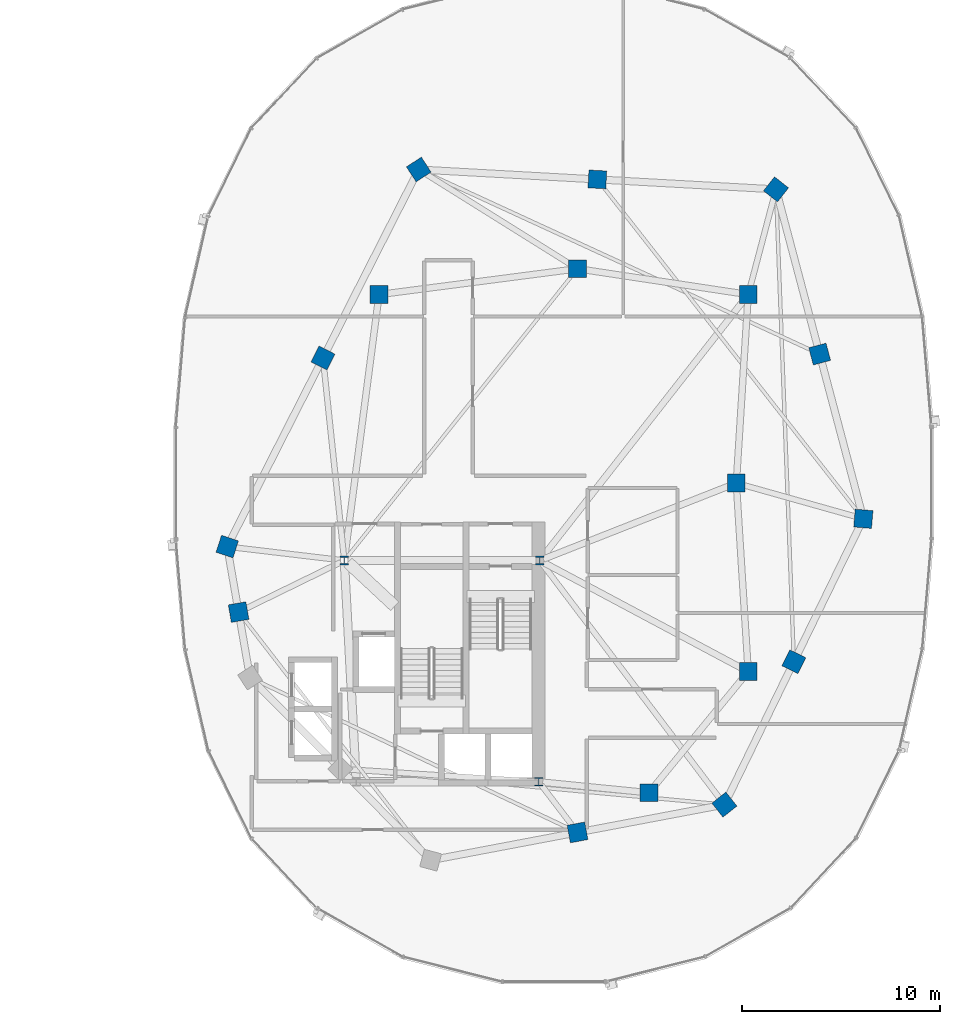
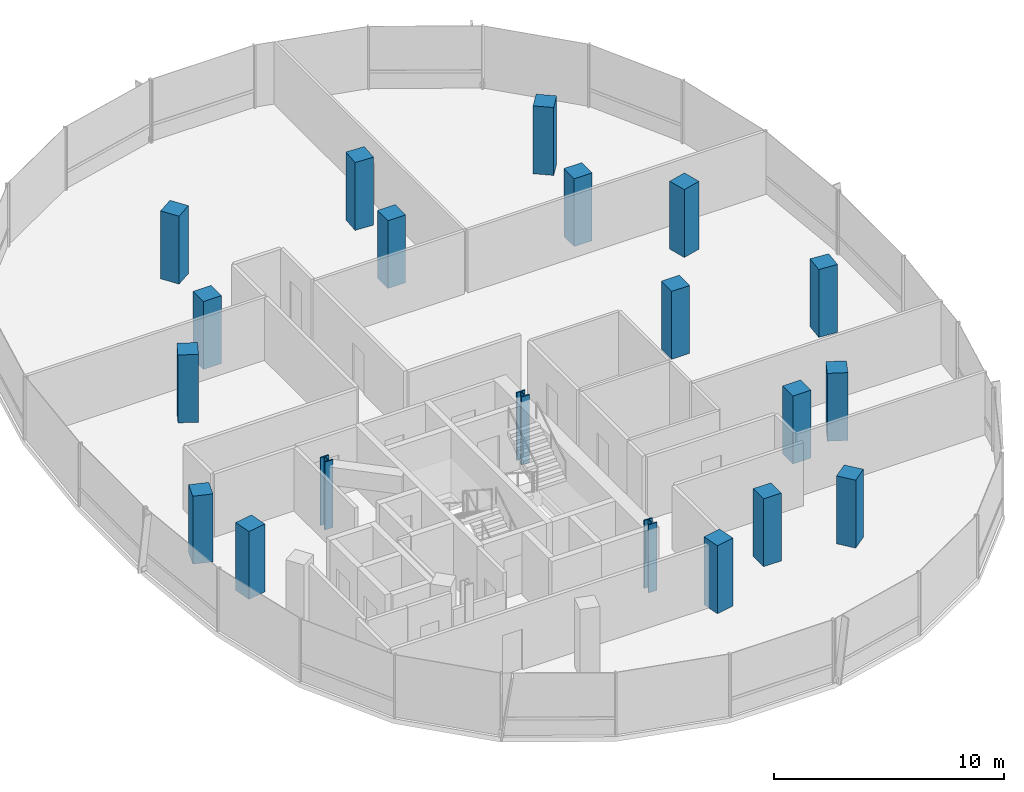
# One storey, part 2 of 25: 20 columns.
"""IFC4 building model written with IfcOpenShell, lengths in metres."""

from ifc_helpers import new_model, si_unit, direction, frame, origin, origin_2d, place, context, subcontext, project, spatial, rectangle, i_section, extrude, material, material_profile, profile_set, type_object, element, save


model = new_model("IFC4")

# Units and contexts
model_context = context("Model", 3, precision=1e-05, world=origin(), true_north=direction((0.0, 1.0)))
body_context = subcontext(model_context, "Body", "Model", "MODEL_VIEW")
ifc_project = project(units=[si_unit("LENGTHUNIT", "METRE"), si_unit("AREAUNIT", "SQUARE_METRE"), si_unit("VOLUMEUNIT", "CUBIC_METRE"), si_unit("PLANEANGLEUNIT", "RADIAN"), si_unit("MASSUNIT", "GRAM", prefix="KILO"), si_unit("THERMODYNAMICTEMPERATUREUNIT", "KELVIN"), si_unit("POWERUNIT", "WATT")], contexts=[model_context])

# Site, building, storey
site_placement = place(None, origin())
site = spatial("IfcSite", under=ifc_project, at=site_placement, CompositionType="ELEMENT")
building_placement = place(site_placement, origin())
building = spatial("IfcBuilding", under=site, at=building_placement, Name="Cundina Bronze Exchange", CompositionType="ELEMENT")
storey_placement = place(building_placement, frame((0.0, 0.0, 206.199951171875)))
storey = spatial("IfcBuildingStorey", under=building, at=storey_placement, Name="L54", CompositionType="ELEMENT", Elevation=206.199951171875)

# Columns
ifc_material_1 = material(Name="Steel ASTM A992 Grade 50", Category="steel")
ifc_material_profile_1 = material_profile(ifc_material_1, i_section(OverallWidth=0.416015625, OverallDepth=0.446044921875, WebThickness=0.0390625, FlangeThickness=0.062744140625, FilletRadius=0.01806640625, at=origin_2d()), Name="W14X342", Category="steel")
ifc_profile_set_1 = profile_set([ifc_material_profile_1], Name="Steel ASTM A992 Grade 50")
column_type_1 = type_object("IfcColumnType", Name="COL-STL-W14B", PredefinedType="COLUMN", material=ifc_profile_set_1)
for number, where, z_axis, x_axis, name in (
    (1, (31.300048828125, -3.89990234375, 0.0), (0.0, 0.0, 1.0), (1.0, 0.0, 0.0), "L54 Core Anchor Column E1"),
    (2, (21.449951171875, -3.89990234375, 0.0), (0.0, 0.0, 1.0), (1.0, 0.0, 0.0), "L54 Core Anchor Column E2"),
    (3, (31.25, -15.050048828125, 0.0), (0.0, 0.0, 1.0), (1.0, 0.0, 0.0), "L54 Core Anchor Column E4"),
):
    element("IfcColumn", number, at=place(storey_placement, frame(where, z_axis=z_axis, x_axis=x_axis)), inside=storey, type_object=column_type_1, Name=name, PredefinedType="COLUMN", context=body_context, shape_type="SweptSolid", body=[
        extrude(i_section(OverallWidth=0.416015625, OverallDepth=0.446044921875, WebThickness=0.0390625, FlangeThickness=0.062744140625, FilletRadius=0.01806640625, at=origin_2d()), origin(), (0.0, 0.0, 1.0), 3.60009765625),
    ])
ifc_material_2 = material(Name="Concrete C50/60", Category="concrete")
ifc_material_profile_2 = material_profile(ifc_material_2, rectangle(XDim=0.89990234375, YDim=0.89990234375, at=origin_2d()), Name="RC900X900", Category="concrete")
ifc_profile_set_2 = profile_set([ifc_material_profile_2], Name="Concrete C50/60")
column_type_2 = type_object("IfcColumnType", Name="COL-Z4-900", PredefinedType="COLUMN", material=ifc_profile_set_2)
for number, where, z_axis, x_axis, name in (
    (4, (41.199951171875, 0.0, 0.0), (0.0, 0.0, 1.0), (1.0, 0.0, 0.0), "L54 E Inner Ring Column 1"),
    (5, (41.800048828125, -9.5, 0.0), (0.0, 0.0, 1.0), (1.0, 0.0, 0.0), "L54 E Inner Ring Column 2"),
    (6, (36.800048828125, -15.60009765625, 0.0), (0.0, 0.0, 1.0), (1.0, 0.0, 0.0), "L54 E Inner Ring Column 3"),
    (7, (41.800048828125, 9.5, 0.0), (0.0, 0.0, 1.0), (1.0, 0.0, 0.0), "L54 E Inner Ring Column 4"),
    (8, (33.199951171875, 10.800048828125, 0.0), (0.0, 0.0, 1.0), (1.0, 0.0, 0.0), "L54 E Inner Ring Column 5"),
    (9, (23.199951171875, 9.5, 0.0), (0.0, 0.0, 1.0), (1.0, 0.0, 0.0), "L54 E Inner Ring Column 6"),
    (10, (15.550048828125, -3.199951171875, 0.0), (0.0, 0.0, 1.0), (-0.315152163383, -0.949041155016, 0.0), "L54 E Perimeter Column 00"),
    (11, (16.125, -6.5, 0.0), (0.0, 0.0, 1.0), (0.171585221787, -0.985169280715, 0.0), "L54 E Perimeter Column 01"),
    (12, (33.199951171875, -17.60009765625, 0.0), (0.0, 0.0, 1.0), (0.98258037664, 0.185838110843, 0.0), "L54 E Perimeter Column 05"),
    (13, (40.60009765625, -16.199951171875, 0.0), (0.0, 0.0, 1.0), (0.785100778485, 0.619368038909, 0.0), "L54 E Perimeter Column 06"),
    (14, (44.10009765625, -9.0, 0.0), (0.0, 0.0, 1.0), (0.437115766651, 0.899405251566, 0.0), "L54 E Perimeter Column 07"),
    (15, (47.60009765625, -1.800048828125, 0.0), (0.0, 0.0, 1.0), (0.083503921245, 0.996507448611, 0.0), "L54 E Perimeter Column 08"),
    (16, (45.39990234375, 6.5, 0.0), (0.0, 0.0, 1.0), (-0.256289373133, 0.966600102017, 0.0), "L54 E Perimeter Column 09"),
    (17, (43.199951171875, 14.800048828125, 0.0), (0.0, 0.0, 1.0), (-0.786288432137, 0.61785961309, 0.0), "L54 E Perimeter Column 10"),
    (18, (34.199951171875, 15.300048828125, 0.0), (0.0, 0.0, 1.0), (-0.998460188734, 0.055472980025, 0.0), "L54 E Perimeter Column 11"),
    (19, (25.199951171875, 15.800048828125, 0.0), (0.0, 0.0, 1.0), (-0.838099763533, -0.545516989988, 0.0), "L54 E Perimeter Column 12"),
    (20, (20.375, 6.300048828125, 0.0), (0.0, 0.0, 1.0), (-0.452901591366, -0.891560513111, 0.0), "L54 E Perimeter Column 13"),
):
    element("IfcColumn", number, at=place(storey_placement, frame(where, z_axis=z_axis, x_axis=x_axis)), inside=storey, type_object=column_type_2, Name=name, PredefinedType="COLUMN", context=body_context, shape_type="SweptSolid", body=[
        extrude(rectangle(XDim=0.89990234375, YDim=0.89990234375, at=origin_2d()), origin(), (0.0, 0.0, 1.0), 3.60009765625),
    ])

save(model, "model.ifc")
